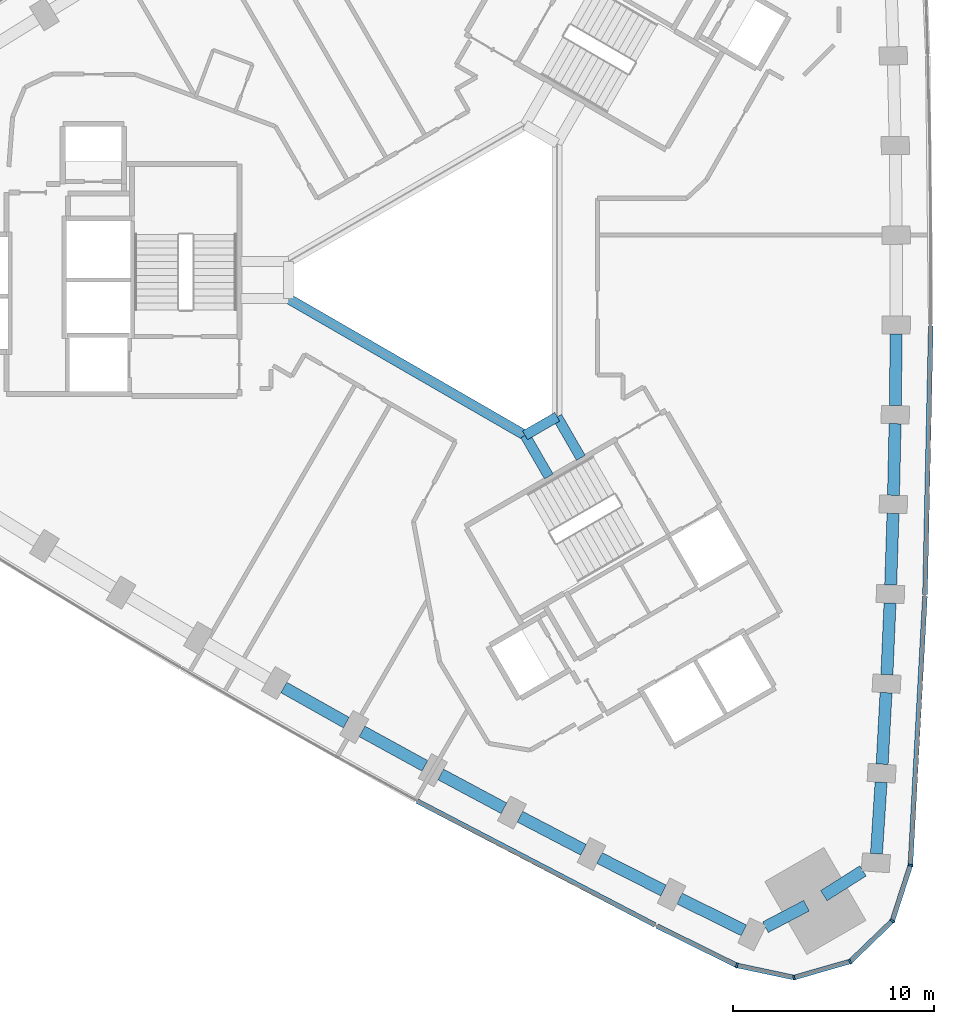
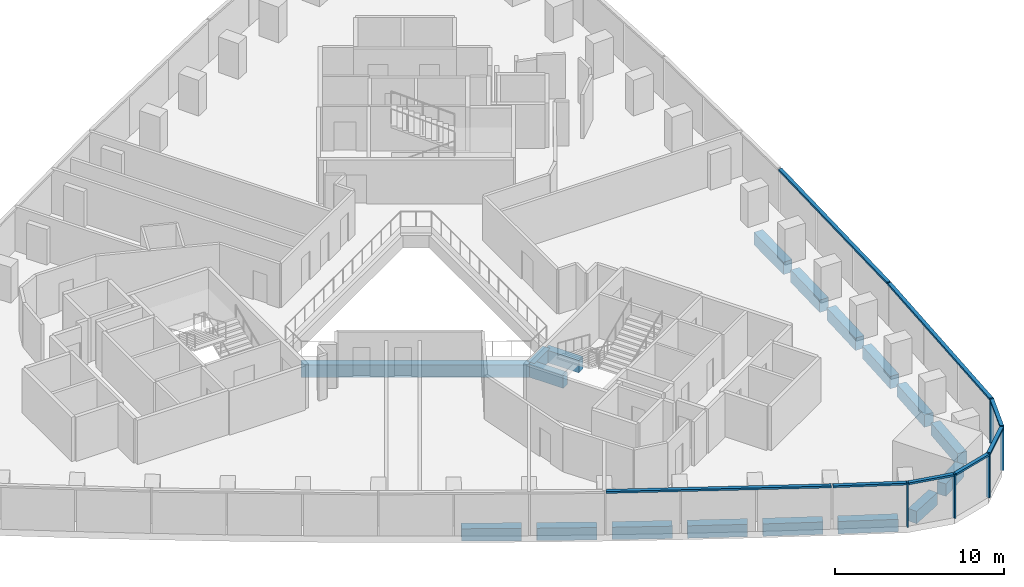
# One storey, part 3 of 12: 18 beams, 13 members, 2 elements without a shape of their own.
"""IFC4 building model written with IfcOpenShell, lengths in metres."""

import ifcopenshell
import ifcopenshell.guid

model = None  # the IFC model being written
_history = None  # IfcOwnerHistory: only IFC2X3 demands one
_inside = {}  # id of a spatial element -> (the spatial element, [elements in it])
_under = {}  # id of a project, library or spatial element -> (it, [spatial elements below it])
_declared = {}  # id of a project -> (the project, [libraries it declares])
_typed = {}  # id of a type object -> (the type object, [elements of that type])
_made_of = {}  # id of a material, layer set ... -> (it, [elements and type objects made of it])


def new_model(schema):
    """Start an empty IFC model of exactly this schema.

    Asked for "IFC4X3", IfcOpenShell would pick the latest addendum, in which some entities
    have other attributes; the version numbers below select the first issue.
    IFC2X3 requires an IfcOwnerHistory on every rooted entity: one is made here for all.
    """
    global model, _history
    if schema == "IFC4X3":
        model = ifcopenshell.file(schema_version=(4, 3, 0, 0))
    else:
        model = ifcopenshell.file(schema=schema)
    _inside.clear()
    _under.clear()
    _declared.clear()
    _typed.clear()
    _made_of.clear()
    _history = None
    if model.schema == "IFC2X3":
        org = make("IfcOrganization", Name="unknown")
        user = make(
            "IfcPersonAndOrganization",
            ThePerson=make("IfcPerson", FamilyName="unknown"),
            TheOrganization=org,
        )
        app = make(
            "IfcApplication",
            ApplicationDeveloper=org,
            Version="unknown",
            ApplicationFullName="unknown",
            ApplicationIdentifier="unknown",
        )
        _history = make(
            "IfcOwnerHistory",
            OwningUser=user,
            OwningApplication=app,
            ChangeAction="ADDED",
            CreationDate=0,
        )
    return model


def make(cls, **values):
    """One entity of the class cls with the attributes given. An attribute that is None is left unset."""
    return model.create_entity(
        cls, **{name: value for name, value in values.items() if value is not None}
    )


def rooted(cls, **values):
    """An entity with a GlobalId (a new one), such as an element, a storey or a relation."""
    return make(cls, GlobalId=ifcopenshell.guid.new(), OwnerHistory=_history, **values)


def si_unit(unit_type, name, prefix=None):
    """IfcSIUnit, for example si_unit("LENGTHUNIT", "METRE", prefix="MILLI")."""
    return make("IfcSIUnit", UnitType=unit_type, Prefix=prefix, Name=name)


def assignment(units):
    """IfcUnitAssignment: the units of a project."""
    return None if units is None else make("IfcUnitAssignment", Units=units)


def point(xyz):
    """IfcCartesianPoint."""
    return None if xyz is None else make("IfcCartesianPoint", Coordinates=xyz)


def direction(xyz):
    """IfcDirection."""
    return None if xyz is None else make("IfcDirection", DirectionRatios=xyz)


def frame(location, z_axis=None, x_axis=None):
    """IfcAxis2Placement3D, a coordinate frame: its origin and axes. An axis left out is left unset."""
    return make(
        "IfcAxis2Placement3D",
        Location=point(location),
        Axis=direction(z_axis),
        RefDirection=direction(x_axis),
    )


def frame_2d(location, x_axis=None):
    """IfcAxis2Placement2D, a coordinate frame in the plane: its origin and x axis."""
    return make(
        "IfcAxis2Placement2D", Location=point(location), RefDirection=direction(x_axis)
    )


def origin():
    """The frame at (0, 0, 0) with its axes left unset."""
    return frame((0.0, 0.0, 0.0))


def origin_2d():
    """The frame at (0, 0) in the plane with its x axis left unset."""
    return frame_2d((0.0, 0.0))


def place(relative_to, where):
    """IfcLocalPlacement: puts the frame where relative to a parent placement (None: the world)."""
    return make(
        "IfcLocalPlacement", PlacementRelTo=relative_to, RelativePlacement=where
    )


def context(
    kind, dimensions, precision=None, world=None, true_north=None, identifier=None
):
    """IfcGeometricRepresentationContext, for example the 3D "Model" context."""
    return make(
        "IfcGeometricRepresentationContext",
        ContextIdentifier=identifier,
        ContextType=kind,
        CoordinateSpaceDimension=dimensions,
        Precision=precision,
        WorldCoordinateSystem=world,
        TrueNorth=true_north,
    )


def subcontext(parent, identifier, kind, view, scale=None):
    """IfcGeometricRepresentationSubContext, for example "Body" below "Model"."""
    return make(
        "IfcGeometricRepresentationSubContext",
        ContextIdentifier=identifier,
        ContextType=kind,
        ParentContext=parent,
        TargetScale=scale,
        TargetView=view,
    )


def project(units=None, contexts=None):
    """IfcProject with its units and contexts."""
    return rooted(
        "IfcProject",
        Name="project",
        RepresentationContexts=contexts,
        UnitsInContext=assignment(units),
    )


def spatial(cls, under=None, at=None, **own):
    """A site, building, storey or space (cls), placed at a placement, below another one or the project."""
    s = rooted(cls, ObjectPlacement=at, **own)
    if under is not None:
        _under.setdefault(under.id(), (under, []))[1].append(s)
    return s


def profile(cls, at=None, kind="AREA", **sizes):
    """A parametric profile (cls). Its sizes go by their IFC names, for example OverallWidth=200.0."""
    return make(cls, ProfileType=kind, Position=at, **sizes)


def rectangle(**sizes):
    """IfcRectangleProfileDef."""
    return profile("IfcRectangleProfileDef", **sizes)


def extrude(swept, where, along, depth):
    """IfcExtrudedAreaSolid: the profile swept, set in the frame where, extruded along a direction by depth."""
    return make(
        "IfcExtrudedAreaSolid",
        SweptArea=swept,
        Position=where,
        ExtrudedDirection=direction(along),
        Depth=depth,
    )


def shape(context_of_items, identifier, shape_type, items):
    """IfcShapeRepresentation: the items that make up one representation, for example the "Body"."""
    return make(
        "IfcShapeRepresentation",
        ContextOfItems=context_of_items,
        RepresentationIdentifier=identifier,
        RepresentationType=shape_type,
        Items=items,
    )


def material(Name=None, Category=None):
    """IfcMaterial."""
    return make("IfcMaterial", Name=Name, Category=Category)


def material_profile(
    of_material, cross_section, Name=None, Category=None, Priority=None
):
    """IfcMaterialProfile: a cross section and its material."""
    return make(
        "IfcMaterialProfile",
        Name=Name,
        Material=of_material,
        Profile=cross_section,
        Priority=Priority,
        Category=Category,
    )


def profile_set(profiles, Name=None, composite=None):
    """IfcMaterialProfileSet."""
    return make(
        "IfcMaterialProfileSet",
        Name=Name,
        MaterialProfiles=profiles,
        CompositeProfile=composite,
    )


def made_of(thing, what):
    """Note that an element or type object is made of a material, layer set ...; save() writes the relation."""
    if what is not None:
        _made_of.setdefault(what.id(), (what, []))[1].append(thing)
    return thing


def type_object(cls, material=None, **own):
    """A type object (cls), such as IfcWallType, which elements share."""
    return made_of(rooted(cls, **own), material)


def element(
    cls,
    number,
    at=None,
    inside=None,
    cuts=None,
    type_object=None,
    material=None,
    context=None,
    identifier="Body",
    shape_type=None,
    held_by="IfcProductDefinitionShape",
    body=None,
    shapes=None,
    **own,
):
    """One element of the class cls, such as IfcWall. Its Tag is "e" and its number.

    at: its placement. inside: the storey or other place that contains it. cuts: it is an
    opening in that element (IfcRelVoidsElement). A single representation is given by context,
    identifier, shape_type and body (its items); several are given by shapes. held_by: the class
    of the entity that holds the representations. save() writes the other relations.
    """
    e = rooted(cls, Tag="e%d" % number, ObjectPlacement=at, **own)
    if body is not None:
        shapes = [shape(context, identifier, shape_type, body)]
    if shapes is not None:
        e.Representation = make(held_by, Representations=shapes)
    if inside is not None:
        _inside.setdefault(inside.id(), (inside, []))[1].append(e)
    if cuts is not None:
        rooted(
            "IfcRelVoidsElement", RelatingBuildingElement=cuts, RelatedOpeningElement=e
        )
    if type_object is not None:
        _typed.setdefault(type_object.id(), (type_object, []))[1].append(e)
    return made_of(e, material)


def aggregate(whole, parts):
    """IfcRelAggregates: a whole, such as a stair, and the parts it consists of."""
    return rooted("IfcRelAggregates", RelatingObject=whole, RelatedObjects=parts)


def save(model, path):
    """Write the relations noted so far, then the file.

    IfcRelAggregates (storeys below a building ...), IfcRelContainedInSpatialStructure (elements
    in a storey), IfcRelDefinesByType, IfcRelAssociatesMaterial and IfcRelDeclares: one each for
    every whole, place, type object, material and project.
    """
    for whole, parts in _under.values():
        aggregate(whole, parts)
    for where, things in _inside.values():
        rooted(
            "IfcRelContainedInSpatialStructure",
            RelatedElements=things,
            RelatingStructure=where,
        )
    for kind, things in _typed.values():
        rooted("IfcRelDefinesByType", RelatedObjects=things, RelatingType=kind)
    for what, things in _made_of.values():
        rooted("IfcRelAssociatesMaterial", RelatedObjects=things, RelatingMaterial=what)
    for by, libraries in _declared.values():
        rooted("IfcRelDeclares", RelatingContext=by, RelatedDefinitions=libraries)
    model.write(path)


model = new_model("IFC4")

# Units and contexts
model_context = context("Model", 3, precision=1e-05, world=origin(), true_north=direction((0.0, 1.0)))
body_context = subcontext(model_context, "Body", "Model", "MODEL_VIEW")
ifc_project = project(units=[si_unit("LENGTHUNIT", "METRE"), si_unit("AREAUNIT", "SQUARE_METRE"), si_unit("VOLUMEUNIT", "CUBIC_METRE"), si_unit("PLANEANGLEUNIT", "RADIAN"), si_unit("MASSUNIT", "GRAM", prefix="KILO")], contexts=[model_context])

# Site, building, storey
site_placement = place(None, origin())
site = spatial("IfcSite", under=ifc_project, at=site_placement, CompositionType="ELEMENT")
building_placement = place(site_placement, origin())
building = spatial("IfcBuilding", under=site, at=building_placement, Name="Tamra Quay Hotel Tower", CompositionType="ELEMENT")
storey_placement = place(building_placement, frame((0.0, 0.0, 71.0)))
storey = spatial("IfcBuildingStorey", under=building, at=storey_placement, Name="L16", CompositionType="ELEMENT", Elevation=71.0)

# Beams
ifc_material_1 = material(Name="Concrete M60", Category="concrete")
ifc_material_profile_1 = material_profile(ifc_material_1, rectangle(XDim=0.5, YDim=0.89990234375, at=origin_2d()), Name="ATRIUM EDGE BEAM RC 500x900")
ifc_profile_set_1 = profile_set([ifc_material_profile_1], Name="Concrete M60")
beam_type_1 = type_object("IfcBeamType", Name="ATRIUM EDGE BEAM RC 500x900", PredefinedType="BEAM", material=ifc_profile_set_1)
beam_1_placement = place(storey_placement, frame((5.0, -6.812744140625, -0.925048828125), z_axis=(-0.86602275259, -0.500004591975, 0.0), x_axis=(0.500004591975, -0.86602275259, 0.0)))
element("IfcBeam", 1, at=beam_1_placement, inside=storey, type_object=beam_type_1, Name="BM-AB1-L16", PredefinedType="BEAM", context=body_context, shape_type="SweptSolid", body=[
    extrude(rectangle(XDim=0.5, YDim=0.89990234375, at=origin_2d()), origin(), (0.0, 0.0, 1.0), 1.84765625),
])
beam_2_placement = place(storey_placement, frame((3.39990234375, -7.736572265625, -0.925048828125), z_axis=(-0.866021471679, 0.500006810544, 0.0), x_axis=(-0.500006810544, -0.866021471679, 0.0)))
element("IfcBeam", 2, at=beam_2_placement, inside=storey, type_object=beam_type_1, Name="BM-AB2-L16", PredefinedType="BEAM", context=body_context, shape_type="SweptSolid", body=[
    extrude(rectangle(XDim=0.5, YDim=0.89990234375, at=origin_2d()), origin(), (0.0, 0.0, 1.0), 13.625244140625),
])
ifc_material_profile_2 = material_profile(ifc_material_1, rectangle(XDim=0.5, YDim=0.89990234375, at=origin_2d()), Name="ATRIUM TIE BEAM RC 500x900")
ifc_profile_set_2 = profile_set([ifc_material_profile_2], Name="Concrete M60")
beam_type_2 = type_object("IfcBeamType", Name="ATRIUM TIE BEAM RC 500x900", PredefinedType="BEAM", material=ifc_profile_set_2)
for number, where, z_axis, x_axis, name in (
    (3, (5.0, -6.812744140625, -0.925048828125), (0.500029618126, -0.866008303076, 0.0), (0.866008303076, 0.500029618126, 0.0), "BM-TIE-1-L16"),
    (4, (3.39990234375, -7.736572265625, -0.925048828125), (0.500029618126, -0.866008303076, 0.0), (0.866008303076, 0.500029618126, 0.0), "BM-TIE-2-L16"),
):
    element("IfcBeam", number, at=place(storey_placement, frame(where, z_axis=z_axis, x_axis=x_axis)), inside=storey, type_object=beam_type_2, Name=name, PredefinedType="BEAM", context=body_context, shape_type="SweptSolid", body=[
        extrude(rectangle(XDim=0.5, YDim=0.89990234375, at=origin_2d()), origin(), (0.0, 0.0, 1.0), 2.362060546875),
    ])

# Curtain wall, member
ifc_material_2 = material(Name="Aluminium 6063 anodised dark grey", Category="aluminium")
curtain_wall_type_1 = type_object("IfcCurtainWallType", Name="CW1 CURTAIN WALL", PredefinedType="NOTDEFINED", material=ifc_material_2)
curtain_wall_1_placement = place(storey_placement, origin())
curtain_wall_1 = element("IfcCurtainWall", 5, at=curtain_wall_1_placement, inside=storey, type_object=curtain_wall_type_1, Name="CW1 east face L16", PredefinedType="NOTDEFINED")
ifc_material_profile_3 = material_profile(ifc_material_2, rectangle(XDim=0.239990234375, YDim=0.10009765625, at=origin_2d()), Name="MULLION 100X240")
ifc_profile_set_3 = profile_set([ifc_material_profile_3], Name="Aluminium 6063 anodised dark grey")
member_type_1 = type_object("IfcMemberType", Name="MULLION CW1 Z1", PredefinedType="MULLION", material=ifc_profile_set_3)
member_1_placement = place(storey_placement, frame((22.5986328125, -29.154052734375, 0.0), z_axis=(0.0, 0.0, 1.0), x_axis=(0.982094520957, -0.188388831692, 0.0)))
member_1 = element("IfcMember", 6, at=member_1_placement, type_object=member_type_1, Name="CW1 mullion L16.E.1", PredefinedType="MULLION", context=body_context, shape_type="SweptSolid", body=[
    extrude(rectangle(XDim=0.239990234375, YDim=0.10009765625, at=origin_2d()), origin(), (0.0, 0.0, 1.0), 3.199951171875),
])

# Curtain wall, members
curtain_wall_type_2 = type_object("IfcCurtainWallType", Name="CW3 CURTAIN WALL", PredefinedType="NOTDEFINED", material=ifc_material_2)
curtain_wall_2_placement = place(storey_placement, origin())
curtain_wall_2 = element("IfcCurtainWall", 7, at=curtain_wall_2_placement, inside=storey, type_object=curtain_wall_type_2, Name="CW3 south-west face L16", PredefinedType="NOTDEFINED")
ifc_material_profile_4 = material_profile(ifc_material_2, rectangle(XDim=0.239990234375, YDim=0.10009765625, at=origin_2d()), Name="MULLION 100X240")
ifc_profile_set_4 = profile_set([ifc_material_profile_4], Name="Aluminium 6063 anodised dark grey")
member_type_2 = type_object("IfcMemberType", Name="MULLION CW3 Z1", PredefinedType="MULLION", material=ifc_profile_set_4)
member_2_placement = place(storey_placement, frame((13.948974609375, -34.148193359375, 0.0), z_axis=(0.0, 0.0, 1.0), x_axis=(-0.327897746444, -0.944713219912, 0.0)))
member_2 = element("IfcMember", 8, at=member_2_placement, type_object=member_type_2, Name="CW3 mullion L16.SW.14", PredefinedType="MULLION", context=body_context, shape_type="SweptSolid", body=[
    extrude(rectangle(XDim=0.239990234375, YDim=0.10009765625, at=origin_2d()), origin(), (0.0, 0.0, 1.0), 3.199951171875),
])
member_3_placement = place(storey_placement, frame((16.7998046875, -34.754150390625, 0.0), z_axis=(0.0, 0.0, 1.0), x_axis=(0.034915999879, -0.999390250579, 0.0)))
member_3 = element("IfcMember", 9, at=member_3_placement, type_object=member_type_2, Name="CW3 mullion L16.SW.15", PredefinedType="MULLION", context=body_context, shape_type="SweptSolid", body=[
    extrude(rectangle(XDim=0.239990234375, YDim=0.10009765625, at=origin_2d()), origin(), (0.0, 0.0, 1.0), 3.199951171875),
])
member_4_placement = place(storey_placement, frame((19.6015625, -33.95068359375, 0.0), z_axis=(0.0, 0.0, 1.0), x_axis=(0.5, -0.866025403784, 0.0)))
member_4 = element("IfcMember", 10, at=member_4_placement, type_object=member_type_2, Name="CW3 mullion L16.SW.16", PredefinedType="MULLION", context=body_context, shape_type="SweptSolid", body=[
    extrude(rectangle(XDim=0.239990234375, YDim=0.10009765625, at=origin_2d()), origin(), (0.0, 0.0, 1.0), 3.199951171875),
])
member_5_placement = place(storey_placement, frame((21.697998046875, -31.926025390625, 0.0), z_axis=(0.0, 0.0, 1.0), x_axis=(0.848039345356, -0.529933268183, 0.0)))
member_5 = element("IfcMember", 11, at=member_5_placement, type_object=member_type_2, Name="CW3 mullion L16.SW.17", PredefinedType="MULLION", context=body_context, shape_type="SweptSolid", body=[
    extrude(rectangle(XDim=0.239990234375, YDim=0.10009765625, at=origin_2d()), origin(), (0.0, 0.0, 1.0), 3.199951171875),
])

# Beams
ifc_material_profile_5 = material_profile(ifc_material_1, rectangle(XDim=0.60009765625, YDim=0.89990234375, at=origin_2d()), Name="SPANDREL BEAM RC 600x900")
ifc_profile_set_5 = profile_set([ifc_material_profile_5], Name="Concrete M60")
beam_type_3 = type_object("IfcBeamType", Name="SPANDREL BEAM RC 600x900", PredefinedType="SPANDREL", material=ifc_profile_set_5)
beam_3_placement = place(storey_placement, frame((20.908203125, -28.584716796875, -0.925048828125), z_axis=(0.064749077985, 0.99790157676, 0.0), x_axis=(-0.99790157676, 0.064749077985, 0.0)))
element("IfcBeam", 12, at=beam_3_placement, inside=storey, type_object=beam_type_3, Name="BM-SP1-000-L16", PredefinedType="SPANDREL", context=body_context, shape_type="SweptSolid", body=[
    extrude(rectangle(XDim=0.60009765625, YDim=0.89990234375, at=origin_2d()), origin(), (0.0, 0.0, 1.0), 3.57080078125),
])
beam_4_placement = place(storey_placement, frame((21.193115234375, -24.123046875, -0.925048828125), z_axis=(0.054026860576, 0.998539482613, 0.0), x_axis=(-0.998539482613, 0.054026860576, 0.0)))
element("IfcBeam", 13, at=beam_4_placement, inside=storey, type_object=beam_type_3, Name="BM-SP1-001-L16", PredefinedType="SPANDREL", context=body_context, shape_type="SweptSolid", body=[
    extrude(rectangle(XDim=0.60009765625, YDim=0.89990234375, at=origin_2d()), origin(), (0.0, 0.0, 1.0), 3.56982421875),
])
for number, where, z_axis, x_axis, name in (
    (14, (21.429931640625, -19.659423828125, -0.925048828125), (0.043282922957, 0.99906285517, 0.0), (-0.99906285517, 0.043282922957, 0.0), "BM-SP1-002-L16"),
    (15, (21.618408203125, -15.19287109375, -0.925048828125), (0.032547568535, 0.999470187541, 0.0), (-0.999470187541, 0.032547568535, 0.0), "BM-SP1-003-L16"),
):
    element("IfcBeam", number, at=place(storey_placement, frame(where, z_axis=z_axis, x_axis=x_axis)), inside=storey, type_object=beam_type_3, Name=name, PredefinedType="SPANDREL", context=body_context, shape_type="SweptSolid", body=[
        extrude(rectangle(XDim=0.60009765625, YDim=0.89990234375, at=origin_2d()), origin(), (0.0, 0.0, 1.0), 3.570556640625),
    ])
beam_5_placement = place(storey_placement, frame((21.7587890625, -10.724609375, -0.925048828125), z_axis=(0.021679013576, 0.999764982569, 0.0), x_axis=(-0.999764982569, 0.021679013576, 0.0)))
element("IfcBeam", 16, at=beam_5_placement, inside=storey, type_object=beam_type_3, Name="BM-SP1-004-L16", PredefinedType="SPANDREL", context=body_context, shape_type="SweptSolid", body=[
    extrude(rectangle(XDim=0.60009765625, YDim=0.89990234375, at=origin_2d()), origin(), (0.0, 0.0, 1.0), 3.56982421875),
])
for number, where, z_axis, x_axis, name in (
    (17, (21.850830078125, -6.255615234375, -0.925048828125), (0.010803527021, 0.999941640199, 0.0), (-0.999941640199, 0.010803527021, 0.0), "BM-SP1-005-L16"),
    (18, (-8.619384765625, -20.299560546875, -0.925048828125), (0.871431243693, -0.49051767299, 0.0), (0.49051767299, 0.871431243693, 0.0), "BM-SP1-037-L16"),
):
    element("IfcBeam", number, at=place(storey_placement, frame(where, z_axis=z_axis, x_axis=x_axis)), inside=storey, type_object=beam_type_3, Name=name, PredefinedType="SPANDREL", context=body_context, shape_type="SweptSolid", body=[
        extrude(rectangle(XDim=0.60009765625, YDim=0.89990234375, at=origin_2d()), origin(), (0.0, 0.0, 1.0), 3.570556640625),
    ])
beam_6_placement = place(storey_placement, frame((-4.72119140625, -22.48828125, -0.925048828125), z_axis=(0.876617015828, -0.481188744216, 0.0), x_axis=(0.481188744216, 0.876617015828, 0.0)))
element("IfcBeam", 19, at=beam_6_placement, inside=storey, type_object=beam_type_3, Name="BM-SP1-038-L16", PredefinedType="SPANDREL", context=body_context, shape_type="SweptSolid", body=[
    extrude(rectangle(XDim=0.60009765625, YDim=0.89990234375, at=origin_2d()), origin(), (0.0, 0.0, 1.0), 3.56982421875),
])
beam_7_placement = place(storey_placement, frame((-0.80029296875, -24.634765625, -0.925048828125), z_axis=(0.881809110934, -0.471606501094, 0.0), x_axis=(0.471606501094, 0.881809110934, 0.0)))
element("IfcBeam", 20, at=beam_7_placement, inside=storey, type_object=beam_type_3, Name="BM-SP1-039-L16", PredefinedType="SPANDREL", context=body_context, shape_type="SweptSolid", body=[
    extrude(rectangle(XDim=0.60009765625, YDim=0.89990234375, at=origin_2d()), origin(), (0.0, 0.0, 1.0), 3.5703125),
])
beam_8_placement = place(storey_placement, frame((3.14404296875, -26.73876953125, -0.925048828125), z_axis=(0.886863886749, -0.462030785101, 0.0), x_axis=(0.462030785101, 0.886863886749, 0.0)))
element("IfcBeam", 21, at=beam_8_placement, inside=storey, type_object=beam_type_3, Name="BM-SP1-040-L16", PredefinedType="SPANDREL", context=body_context, shape_type="SweptSolid", body=[
    extrude(rectangle(XDim=0.60009765625, YDim=0.89990234375, at=origin_2d()), origin(), (0.0, 0.0, 1.0), 3.570556640625),
])
beam_9_placement = place(storey_placement, frame((7.111083984375, -28.800048828125, -0.925048828125), z_axis=(0.891785652583, -0.452458119439, 0.0), x_axis=(0.452458119439, 0.891785652583, 0.0)))
element("IfcBeam", 22, at=beam_9_placement, inside=storey, type_object=beam_type_3, Name="BM-SP1-041-L16", PredefinedType="SPANDREL", context=body_context, shape_type="SweptSolid", body=[
    extrude(rectangle(XDim=0.60009765625, YDim=0.89990234375, at=origin_2d()), origin(), (0.0, 0.0, 1.0), 3.56982421875),
])
beam_10_placement = place(storey_placement, frame((11.099365234375, -30.818115234375, -0.925048828125), z_axis=(0.896604328032, -0.442832563113, 0.0), x_axis=(0.442832563113, 0.896604328032, 0.0)))
element("IfcBeam", 23, at=beam_10_placement, inside=storey, type_object=beam_type_3, Name="BM-SP1-042-L16", PredefinedType="SPANDREL", context=body_context, shape_type="SweptSolid", body=[
    extrude(rectangle(XDim=0.60009765625, YDim=0.89990234375, at=origin_2d()), origin(), (0.0, 0.0, 1.0), 3.57080078125),
])
beam_11_placement = place(storey_placement, frame((15.377197265625, -32.24609375, -0.925048828125), z_axis=(0.885674154565, 0.464307324879, 0.0), x_axis=(-0.464307324879, 0.885674154565, 0.0)))
element("IfcBeam", 24, at=beam_11_placement, inside=storey, type_object=beam_type_3, Name="BM-SP1-043-L16", PredefinedType="SPANDREL", context=body_context, shape_type="SweptSolid", body=[
    extrude(rectangle(XDim=0.60009765625, YDim=0.89990234375, at=origin_2d()), origin(), (0.0, 0.0, 1.0), 2.308349609375),
])
beam_12_placement = place(storey_placement, frame((18.28662109375, -30.6748046875, -0.925048828125), z_axis=(0.844978382684, 0.53480046073, 0.0), x_axis=(-0.53480046073, 0.844978382684, 0.0)))
element("IfcBeam", 25, at=beam_12_placement, inside=storey, type_object=beam_type_3, Name="BM-SP1-044-L16", PredefinedType="SPANDREL", context=body_context, shape_type="SweptSolid", body=[
    extrude(rectangle(XDim=0.60009765625, YDim=0.89990234375, at=origin_2d()), origin(), (0.0, 0.0, 1.0), 2.30859375),
])

# Member
ifc_material_profile_6 = material_profile(ifc_material_2, rectangle(XDim=0.239990234375, YDim=0.139892578125, at=origin_2d()), Name="TRANSOM 240X140")
ifc_profile_set_6 = profile_set([ifc_material_profile_6], Name="Aluminium 6063 anodised dark grey")
member_type_3 = type_object("IfcMemberType", Name="TRANSOM CW1 Z1", PredefinedType="USERDEFINED", material=ifc_profile_set_6)
member_6_placement = place(storey_placement, frame((22.60205078125, -29.104248046875, 3.1298828125), z_axis=(0.054048600578, 0.998538306113, 0.0), x_axis=(-0.998538306113, 0.054048600578, 0.0)))
member_6 = element("IfcMember", 26, at=member_6_placement, type_object=member_type_3, Name="CW1 transom L16.E.1", ObjectType="TRANSOM", PredefinedType="USERDEFINED", context=body_context, shape_type="SweptSolid", body=[
    extrude(rectangle(XDim=0.239990234375, YDim=0.139892578125, at=origin_2d()), origin(), (0.0, 0.0, 1.0), 13.365966796875),
])

member_7_placement = place(storey_placement, frame((23.328369140625, -15.65771484375, 3.1298828125), z_axis=(0.021644299832, 0.999765734702, 0.0), x_axis=(-0.999765734702, 0.021644299832, 0.0)))
member_7 = element("IfcMember", 27, at=member_7_placement, type_object=member_type_3, Name="CW1 transom L16.E.4", ObjectType="TRANSOM", PredefinedType="USERDEFINED", context=body_context, shape_type="SweptSolid", body=[
    extrude(rectangle(XDim=0.239990234375, YDim=0.139892578125, at=origin_2d()), origin(), (0.0, 0.0, 1.0), 13.366455078125),
])

aggregate(curtain_wall_1, [member_1, member_6, member_7])

ifc_material_profile_7 = material_profile(ifc_material_2, rectangle(XDim=0.239990234375, YDim=0.139892578125, at=origin_2d()), Name="TRANSOM 240X140")
ifc_profile_set_7 = profile_set([ifc_material_profile_7], Name="Aluminium 6063 anodised dark grey")
member_type_4 = type_object("IfcMemberType", Name="TRANSOM CW3 Z1", PredefinedType="USERDEFINED", material=ifc_profile_set_7)
member_8_placement = place(storey_placement, frame((-1.97412109375, -25.9619140625, 3.1298828125), z_axis=(0.88684719541, -0.462062822562, 0.0), x_axis=(0.462062822562, 0.88684719541, 0.0)))
member_8 = element("IfcMember", 28, at=member_8_placement, type_object=member_type_4, Name="CW3 transom L16.SW.10", ObjectType="TRANSOM", PredefinedType="USERDEFINED", context=body_context, shape_type="SweptSolid", body=[
    extrude(rectangle(XDim=0.239990234375, YDim=0.139892578125, at=origin_2d()), origin(), (0.0, 0.0, 1.0), 13.36669921875),
])

member_9_placement = place(storey_placement, frame((9.969482421875, -32.182861328125, 3.1298828125), z_axis=(0.896619497593, -0.442801847936, 0.0), x_axis=(0.442801847936, 0.896619497593, 0.0)))
member_9 = element("IfcMember", 29, at=member_9_placement, type_object=member_type_4, Name="CW3 transom L16.SW.13", ObjectType="TRANSOM", PredefinedType="USERDEFINED", context=body_context, shape_type="SweptSolid", body=[
    extrude(rectangle(XDim=0.239990234375, YDim=0.139892578125, at=origin_2d()), origin(), (0.0, 0.0, 1.0), 4.38818359375),
])

member_10_placement = place(storey_placement, frame((13.997802734375, -34.15869140625, 3.1298828125), z_axis=(0.97816524345, -0.207828671039, 0.0), x_axis=(0.207828671039, 0.97816524345, 0.0)))
member_10 = element("IfcMember", 30, at=member_10_placement, type_object=member_type_4, Name="CW3 transom L16.SW.14", ObjectType="TRANSOM", PredefinedType="USERDEFINED", context=body_context, shape_type="SweptSolid", body=[
    extrude(rectangle(XDim=0.239990234375, YDim=0.139892578125, at=origin_2d()), origin(), (0.0, 0.0, 1.0), 2.814697265625),
])

member_11_placement = place(storey_placement, frame((16.847900390625, -34.740234375, 3.1298828125), z_axis=(0.961255085045, 0.275660409698, 0.0), x_axis=(-0.275660409698, 0.961255085045, 0.0)))
member_11 = element("IfcMember", 31, at=member_11_placement, type_object=member_type_4, Name="CW3 transom L16.SW.15", ObjectType="TRANSOM", PredefinedType="USERDEFINED", context=body_context, shape_type="SweptSolid", body=[
    extrude(rectangle(XDim=0.239990234375, YDim=0.139892578125, at=origin_2d()), origin(), (0.0, 0.0, 1.0), 2.814697265625),
])

member_12_placement = place(storey_placement, frame((19.637451171875, -33.916015625, 3.1298828125), z_axis=(0.71931626538, 0.694682740796, 0.0), x_axis=(-0.694682740796, 0.71931626538, 0.0)))
member_12 = element("IfcMember", 32, at=member_12_placement, type_object=member_type_4, Name="CW3 transom L16.SW.16", ObjectType="TRANSOM", PredefinedType="USERDEFINED", context=body_context, shape_type="SweptSolid", body=[
    extrude(rectangle(XDim=0.239990234375, YDim=0.139892578125, at=origin_2d()), origin(), (0.0, 0.0, 1.0), 2.814697265625),
])

member_13_placement = place(storey_placement, frame((21.71337890625, -31.87841796875, 3.1298828125), z_axis=(0.309062535631, 0.951041717839, 0.0), x_axis=(-0.951041717839, 0.309062535631, 0.0)))
member_13 = element("IfcMember", 33, at=member_13_placement, type_object=member_type_4, Name="CW3 transom L16.SW.17", ObjectType="TRANSOM", PredefinedType="USERDEFINED", context=body_context, shape_type="SweptSolid", body=[
    extrude(rectangle(XDim=0.239990234375, YDim=0.139892578125, at=origin_2d()), origin(), (0.0, 0.0, 1.0), 2.814453125),
])

aggregate(curtain_wall_2, [member_8, member_9, member_2, member_10, member_3, member_11, member_4, member_12, member_5, member_13])

save(model, "model.ifc")
